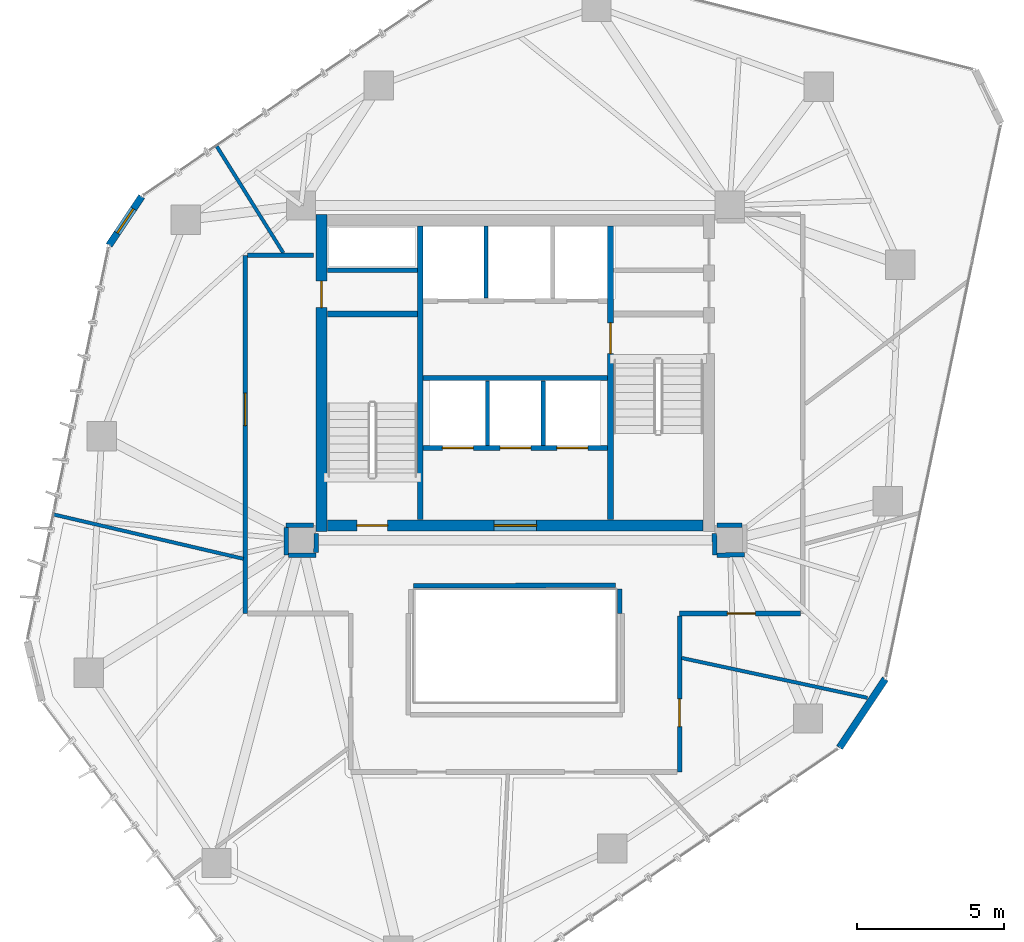
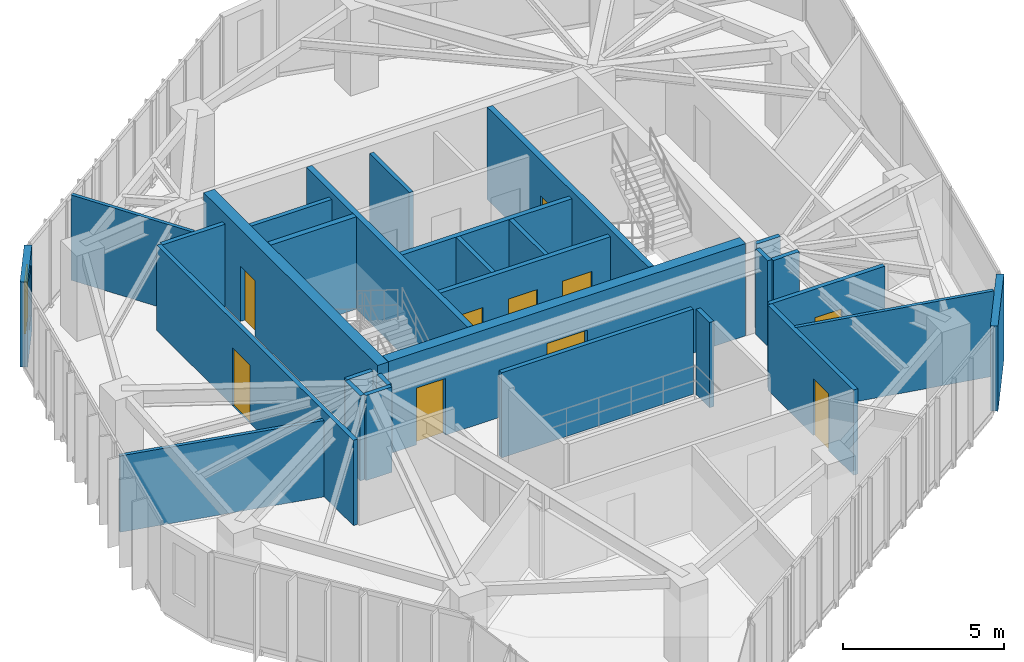
# One storey, part 16 of 20: 29 walls, 10 doors, 1 window, 11 openings.
"""IFC4 building model written with IfcOpenShell, lengths in metres."""

from ifc_helpers import new_model, si_unit, direction, frame, frame_2d, origin, place, context, subcontext, project, spatial, rectangle, extrude, source, transform, mapped, material, layer, layer_set, type_object, type_shapes, element, fill, save


model = new_model("IFC4")

# Units and contexts
model_context = context("Model", 3, precision=1e-05, world=origin(), true_north=direction((0.0, 1.0)))
body_context = subcontext(model_context, "Body", "Model", "MODEL_VIEW")
ifc_project = project(units=[si_unit("LENGTHUNIT", "METRE"), si_unit("AREAUNIT", "SQUARE_METRE"), si_unit("VOLUMEUNIT", "CUBIC_METRE"), si_unit("PLANEANGLEUNIT", "RADIAN"), si_unit("MASSUNIT", "GRAM", prefix="KILO")], contexts=[model_context])

# Site, building, storey
site_placement = place(None, origin())
site = spatial("IfcSite", under=ifc_project, at=site_placement, CompositionType="ELEMENT")
building_placement = place(site_placement, origin())
building = spatial("IfcBuilding", under=site, at=building_placement, Name="Talar Marvaseh", CompositionType="ELEMENT")
storey_placement = place(building_placement, frame((0.0, 0.0, 191.5)))
storey = spatial("IfcBuildingStorey", under=building, at=storey_placement, Name="L50", CompositionType="ELEMENT", Elevation=191.5)

# Wall, opening, window
ifc_material_1 = material(Name="Precast concrete C45/55", Category="concrete")
ifc_layer_1 = layer(ifc_material_1, 0.239990234375)
ifc_layer_set_1 = layer_set([ifc_layer_1], Name="Precast concrete C45/55")
wall_type_1 = type_object("IfcWallType", Name="Chamfered Hexagonal Corner Pier Wall Z3 240", PredefinedType="SOLIDWALL", material=ifc_layer_set_1)
wall_1_placement = place(storey_placement, frame((12.16064453125, 35.54248046875, 0.0), z_axis=(0.0, 0.0, 1.0), x_axis=(0.555627975878, 0.831431026857, 0.0)))
wall_1 = element("IfcWall", 1, at=wall_1_placement, inside=storey, type_object=wall_type_1, Name="L50 Chamfered Corner Limestone Pier 3", PredefinedType="SOLIDWALL", context=body_context, shape_type="SweptSolid", body=[
    extrude(rectangle(XDim=2.003173828125, YDim=0.239990234375, at=frame_2d((1.00146484375, 0.0))), origin(), (0.0, 0.0, 1.0), 3.22998046875),
])
opening_1_placement = place(wall_1_placement, frame((0.501953125, 0.0, 0.89990234375)))
opening_1 = element("IfcOpeningElement", 2, at=opening_1_placement, cuts=wall_1, Name="Opening WN-CHM10", PredefinedType="OPENING", context=body_context, shape_type="SweptSolid", body=[
    extrude(rectangle(XDim=1.0, YDim=1.949951171875, at=frame_2d((0.5, 0.97509765625))), frame((0.0, 0.1298828125, 0.0), z_axis=(0.0, -1.0, 0.0), x_axis=(1.0, 0.0, 0.0)), (0.0, 0.0, 1.0), 0.260009765625),
])
ifc_material_2 = material(Name="Laminated Low-E Solar Glass", Category="glass")
window_type = type_object("IfcWindowType", Name="Zone 3 Chamfered Corner Slot Window 1000x1950", PartitioningType="SINGLE_PANEL", PredefinedType="WINDOW", material=ifc_material_2)
shared_shape_1 = source(origin(), body_context, "Body", "SweptSolid", [
    extrude(rectangle(XDim=1.0, YDim=1.949951171875, at=frame_2d((0.5, 0.97509765625))), frame((0.0, 0.030029296875, 0.0), z_axis=(0.0, -1.0, 0.0), x_axis=(1.0, 0.0, 0.0)), (0.0, 0.0, 1.0), 0.06005859375),
])
type_shapes(window_type, [shared_shape_1])
window_placement = place(opening_1_placement, origin())
window = element("IfcWindow", 3, at=window_placement, inside=storey, type_object=window_type, Name="L50 Chamfered Corner Slot Window", OverallHeight=1.949951171875, OverallWidth=1.0, PartitioningType="SINGLE_PANEL", PredefinedType="WINDOW", context=body_context, shape_type="MappedRepresentation", body=[
    mapped(shared_shape_1, transform((0.0, 0.0, 0.0), x_axis=(1.0, 0.0, 0.0), y_axis=(0.0, 1.0, 0.0), z_axis=(0.0, 0.0, 1.0), scale=1.0)),
])
fill(opening_1, window)

# Walls
wall_2_placement = place(storey_placement, frame((38.60595703125, 20.77001953125, 0.0), z_axis=(0.0, 0.0, 1.0), x_axis=(-0.555600401463, -0.831449453602, 0.0)))
element("IfcWall", 4, at=wall_2_placement, inside=storey, type_object=wall_type_1, Name="L50 Chamfered Corner Limestone Pier 6", PredefinedType="SOLIDWALL", context=body_context, shape_type="SweptSolid", body=[
    extrude(rectangle(XDim=2.8154296875, YDim=0.239990234375, at=frame_2d((1.40771484375, 0.0))), origin(), (0.0, 0.0, 1.0), 3.22998046875),
])
ifc_material_3 = material(Name="Gypsum Board Partition Assembly")
ifc_layer_2 = layer(ifc_material_3, 0.155029296875)
ifc_layer_set_2 = layer_set([ifc_layer_2], Name="Gypsum Board Partition Assembly")
wall_type_2 = type_object("IfcWallType", Name="Corridor Fire-Rated Acoustic Partition 155", PredefinedType="PARTITIONING", material=ifc_layer_set_2)
wall_3_placement = place(storey_placement, frame((19.60009765625, 34.699951171875, 0.0), z_axis=(0.0, 0.0, 1.0), x_axis=(1.0, 0.0, 0.0)))
element("IfcWall", 5, at=wall_3_placement, inside=storey, type_object=wall_type_2, Name="L50 Core BOH Partition", PredefinedType="PARTITIONING", context=body_context, shape_type="SweptSolid", body=[
    extrude(rectangle(XDim=3.059814453125, YDim=0.155029296875, at=frame_2d((1.52978515625, 0.0))), origin(), (0.0, 0.0, 1.0), 3.22998046875),
])

# Wall, opening, door
wall_4_placement = place(storey_placement, frame((16.800048828125, 23.0, 0.0), z_axis=(0.0, 0.0, 1.0), x_axis=(0.0, 1.0, 0.0)))
wall_4 = element("IfcWall", 6, at=wall_4_placement, inside=storey, type_object=wall_type_2, Name="L50 Interior Partition Wall", PredefinedType="PARTITIONING", context=body_context, shape_type="SweptSolid", body=[
    extrude(rectangle(XDim=12.199951171875, YDim=0.155029296875, at=frame_2d((6.10009765625, 0.0))), origin(), (0.0, 0.0, 1.0), 3.22998046875),
])
opening_2_placement = place(wall_4_placement, frame((6.404296875, 0.0, 0.0)))
opening_2 = element("IfcOpeningElement", 7, at=opening_2_placement, cuts=wall_4, Name="Opening DR-RM110", PredefinedType="OPENING", context=body_context, shape_type="SweptSolid", body=[
    extrude(rectangle(XDim=1.10009765625, YDim=2.199951171875, at=frame_2d((0.550048828125, 1.10009765625))), frame((0.0, 0.08740234375, 0.0), z_axis=(0.0, -1.0, 0.0), x_axis=(1.0, 0.0, 0.0)), (0.0, 0.0, 1.0), 0.175048828125),
])
ifc_material_4 = material(Name="Acoustic Engineered Oak Timber", Category="wood")
door_type_1 = type_object("IfcDoorType", Name="Assembly and Reading Hall Door 1100x2200", OperationType="NOTDEFINED", PredefinedType="DOOR", material=ifc_material_4)
shared_shape_2 = source(origin(), body_context, "Body", "SweptSolid", [
    extrude(rectangle(XDim=1.10009765625, YDim=2.199951171875, at=frame_2d((0.550048828125, 1.10009765625))), frame((0.0, 0.02490234375, 0.0), z_axis=(0.0, -1.0, 0.0), x_axis=(1.0, 0.0, 0.0)), (0.0, 0.0, 1.0), 0.050048828125),
])
type_shapes(door_type_1, [shared_shape_2])
door_1_placement = place(opening_2_placement, origin())
door_1 = element("IfcDoor", 8, at=door_1_placement, inside=storey, type_object=door_type_1, Name="L50 Gallery Security Control Room Door", OperationType="SINGLE_SWING_RIGHT", OverallHeight=2.199951171875, OverallWidth=1.10009765625, PredefinedType="DOOR", context=body_context, shape_type="MappedRepresentation", body=[
    mapped(shared_shape_2, transform((0.0, 0.0, 0.0), x_axis=(1.0, 0.0, 0.0), y_axis=(0.0, 1.0, 0.0), z_axis=(0.0, 0.0, 1.0), scale=1.0)),
])
fill(opening_2, door_1)

wall_5_placement = place(storey_placement, frame((35.716552734375, 23.0, 0.0), z_axis=(0.0, 0.0, 1.0), x_axis=(-1.0, 0.0, 0.0)))
wall_5 = element("IfcWall", 9, at=wall_5_placement, inside=storey, type_object=wall_type_2, Name="L50 Interior Partition Wall", PredefinedType="PARTITIONING", context=body_context, shape_type="SweptSolid", body=[
    extrude(rectangle(XDim=4.116455078125, YDim=0.155029296875, at=frame_2d((2.05810546875, 0.0))), origin(), (0.0, 0.0, 1.0), 3.22998046875),
])
opening_3_placement = place(wall_5_placement, frame((1.54150390625, 0.0, 0.0)))
opening_3 = element("IfcOpeningElement", 10, at=opening_3_placement, cuts=wall_5, Name="Opening DR-WC095", PredefinedType="OPENING", context=body_context, shape_type="SweptSolid", body=[
    extrude(rectangle(XDim=0.949951171875, YDim=2.14990234375, at=frame_2d((0.47509765625, 1.074951171875))), frame((0.0, 0.08740234375, 0.0), z_axis=(0.0, -1.0, 0.0), x_axis=(1.0, 0.0, 0.0)), (0.0, 0.0, 1.0), 0.175048828125),
])
door_type_2 = type_object("IfcDoorType", Name="Washroom and Service Room Door 950x2150", OperationType="NOTDEFINED", PredefinedType="DOOR", material=ifc_material_4)
shared_shape_3 = source(origin(), body_context, "Body", "SweptSolid", [
    extrude(rectangle(XDim=0.949951171875, YDim=2.14990234375, at=frame_2d((0.47509765625, 1.074951171875))), frame((0.0, 0.02490234375, 0.0), z_axis=(0.0, -1.0, 0.0), x_axis=(1.0, 0.0, 0.0)), (0.0, 0.0, 1.0), 0.050048828125),
])
type_shapes(door_type_2, [shared_shape_3])
door_2_placement = place(opening_3_placement, origin())
door_2 = element("IfcDoor", 11, at=door_2_placement, inside=storey, type_object=door_type_2, Name="L50 Accessible WC Door", OperationType="SINGLE_SWING_LEFT", OverallHeight=2.14990234375, OverallWidth=0.949951171875, PredefinedType="DOOR", context=body_context, shape_type="MappedRepresentation", body=[
    mapped(shared_shape_3, transform((0.0, 0.0, 0.0), x_axis=(1.0, 0.0, 0.0), y_axis=(0.0, 1.0, 0.0), z_axis=(0.0, 0.0, 1.0), scale=1.0)),
])
fill(opening_3, door_2)

wall_6_placement = place(storey_placement, frame((31.60009765625, 22.91650390625, 0.0), z_axis=(0.0, 0.0, 1.0), x_axis=(0.0, -1.0, 0.0)))
wall_6 = element("IfcWall", 12, at=wall_6_placement, inside=storey, type_object=wall_type_2, Name="L50 Interior Partition Wall", PredefinedType="PARTITIONING", context=body_context, shape_type="SweptSolid", body=[
    extrude(rectangle(XDim=5.31640625, YDim=0.155029296875, at=frame_2d((2.658203125, 0.0))), origin(), (0.0, 0.0, 1.0), 3.22998046875),
])
opening_4_placement = place(wall_6_placement, frame((2.822509765625, 0.0, 0.0)))
opening_4 = element("IfcOpeningElement", 13, at=opening_4_placement, cuts=wall_6, Name="Opening DR-WC095", PredefinedType="OPENING", context=body_context, shape_type="SweptSolid", body=[
    extrude(rectangle(XDim=0.949951171875, YDim=2.14990234375, at=frame_2d((0.47509765625, 1.074951171875))), frame((0.0, 0.08740234375, 0.0), z_axis=(0.0, -1.0, 0.0), x_axis=(1.0, 0.0, 0.0)), (0.0, 0.0, 1.0), 0.175048828125),
])
door_3_placement = place(opening_4_placement, origin())
door_3 = element("IfcDoor", 14, at=door_3_placement, inside=storey, type_object=door_type_2, Name="L50 WC Public Washrooms Door", OperationType="SINGLE_SWING_RIGHT", OverallHeight=2.14990234375, OverallWidth=0.949951171875, PredefinedType="DOOR", context=body_context, shape_type="MappedRepresentation", body=[
    mapped(shared_shape_3, transform((0.0, 0.0, 0.0), x_axis=(1.0, 0.0, 0.0), y_axis=(0.0, 1.0, 0.0), z_axis=(0.0, 0.0, 1.0), scale=1.0)),
])
fill(opening_4, door_3)

# Walls
wall_7_placement = place(storey_placement, frame((16.883544921875, 35.199951171875, 0.0), z_axis=(0.0, 0.0, 1.0), x_axis=(1.0, 0.0, 0.0)))
element("IfcWall", 15, at=wall_7_placement, inside=storey, type_object=wall_type_2, Name="L50 Interior Partition Wall", PredefinedType="PARTITIONING", context=body_context, shape_type="SweptSolid", body=[
    extrude(rectangle(XDim=2.246337890625, YDim=0.155029296875, at=frame_2d((1.123046875, 0.0))), origin(), (0.0, 0.0, 1.0), 3.22998046875),
])
wall_8_placement = place(storey_placement, frame((19.1298828125, 26.0146484375, 0.0), z_axis=(0.0, 0.0, 1.0), x_axis=(-0.99999026157, -0.004413248818, 0.0)))
element("IfcWall", 16, at=wall_8_placement, inside=storey, type_object=wall_type_2, Name="L50 Interior Partition Wall", PredefinedType="PARTITIONING", context=body_context, shape_type="SweptSolid", body=[
    extrude(rectangle(XDim=0.9404296875, YDim=0.155029296875, at=frame_2d((0.47021484375, 0.0))), origin(), (0.0, 0.0, 1.0), 3.22998046875),
])
wall_9_placement = place(storey_placement, frame((18.189697265625, 25.927001953125, 0.0), z_axis=(0.0, 0.0, 1.0), x_axis=(0.002078997586, -0.999997838882, 0.0)))
element("IfcWall", 17, at=wall_9_placement, inside=storey, type_object=wall_type_2, Name="L50 Interior Partition Wall", PredefinedType="PARTITIONING", context=body_context, shape_type="SweptSolid", body=[
    extrude(rectangle(XDim=0.939453125, YDim=0.155029296875, at=frame_2d((0.4697265625, 0.0))), origin(), (0.0, 0.0, 1.0), 3.22998046875),
])
wall_10_placement = place(storey_placement, frame((18.275146484375, 24.987548828125, 0.0), z_axis=(0.0, 0.0, 1.0), x_axis=(0.999999692748, 0.0007839036, 0.0)))
element("IfcWall", 18, at=wall_10_placement, inside=storey, type_object=wall_type_2, Name="L50 Interior Partition Wall", PredefinedType="PARTITIONING", context=body_context, shape_type="SweptSolid", body=[
    extrude(rectangle(XDim=0.934326171875, YDim=0.155029296875, at=frame_2d((0.46728515625, 0.0))), origin(), (0.0, 0.0, 1.0), 3.22998046875),
])
wall_11_placement = place(storey_placement, frame((19.210205078125, 25.072021484375, 0.0), z_axis=(0.0, 0.0, 1.0), x_axis=(0.007420945932, 0.999972464402, 0.0)))
element("IfcWall", 19, at=wall_11_placement, inside=storey, type_object=wall_type_2, Name="L50 Interior Partition Wall", PredefinedType="PARTITIONING", context=body_context, shape_type="SweptSolid", body=[
    extrude(rectangle(XDim=0.657958984375, YDim=0.155029296875, at=frame_2d((0.3291015625, 0.0))), origin(), (0.0, 0.0, 1.0), 3.22998046875),
])
wall_12_placement = place(storey_placement, frame((32.784912109375, 25.72998046875, 0.0), z_axis=(0.0, 0.0, 1.0), x_axis=(0.007570553288, -0.999971342951, 0.0)))
element("IfcWall", 20, at=wall_12_placement, inside=storey, type_object=wall_type_2, Name="L50 Interior Partition Wall", PredefinedType="PARTITIONING", context=body_context, shape_type="SweptSolid", body=[
    extrude(rectangle(XDim=0.74169921875, YDim=0.155029296875, at=frame_2d((0.370849609375, 0.0))), origin(), (0.0, 0.0, 1.0), 3.22998046875),
])
wall_13_placement = place(storey_placement, frame((32.8740234375, 24.9892578125, 0.0), z_axis=(0.0, 0.0, 1.0), x_axis=(0.999934835738, 0.01141596595, 0.0)))
element("IfcWall", 21, at=wall_13_placement, inside=storey, type_object=wall_type_2, Name="L50 Interior Partition Wall", PredefinedType="PARTITIONING", context=body_context, shape_type="SweptSolid", body=[
    extrude(rectangle(XDim=0.94091796875, YDim=0.155029296875, at=frame_2d((0.470458984375, 0.0))), origin(), (0.0, 0.0, 1.0), 3.22998046875),
])
wall_14_placement = place(storey_placement, frame((33.72705078125, 26.010986328125, 0.0), z_axis=(0.0, 0.0, 1.0), x_axis=(-0.999990868706, 0.004273465251, 0.0)))
element("IfcWall", 22, at=wall_14_placement, inside=storey, type_object=wall_type_2, Name="L50 Interior Partition Wall", PredefinedType="PARTITIONING", context=body_context, shape_type="SweptSolid", body=[
    extrude(rectangle(XDim=0.85693359375, YDim=0.155029296875, at=frame_2d((0.428466796875, 0.0))), origin(), (0.0, 0.0, 1.0), 3.22998046875),
])
wall_15_placement = place(storey_placement, frame((29.415771484375, 23.959228515625, 0.0), z_axis=(0.0, 0.0, 1.0), x_axis=(-0.999998607957, -0.001668557745, 0.0)))
element("IfcWall", 23, at=wall_15_placement, inside=storey, type_object=wall_type_2, Name="L50 Interior Partition Wall", PredefinedType="PARTITIONING", context=body_context, shape_type="SweptSolid", body=[
    extrude(rectangle(XDim=6.876953125, YDim=0.155029296875, at=frame_2d((3.4384765625, 0.0))), origin(), (0.0, 0.0, 1.0), 3.22998046875),
])
wall_16_placement = place(storey_placement, frame((29.56005859375, 23.0, 0.0), z_axis=(0.0, 0.0, 1.0), x_axis=(-0.003817887006, 0.999992711843, 0.0)))
element("IfcWall", 24, at=wall_16_placement, inside=storey, type_object=wall_type_2, Name="L50 Interior Partition Wall", PredefinedType="PARTITIONING", context=body_context, shape_type="SweptSolid", body=[
    extrude(rectangle(XDim=0.831298828125, YDim=0.155029296875, at=frame_2d((0.41552734375, 0.0))), origin(), (0.0, 0.0, 1.0), 3.22998046875),
])
ifc_layer_3 = layer(ifc_material_3, 0.1201171875)
ifc_layer_set_3 = layer_set([ifc_layer_3], Name="Gypsum Board Partition Assembly")
wall_type_3 = type_object("IfcWallType", Name="Demountable Studio Room Partition 120", PredefinedType="PARTITIONING", material=ifc_layer_set_3)
wall_17_placement = place(storey_placement, frame((10.285400390625, 26.370849609375, 0.0), z_axis=(0.0, 0.0, 1.0), x_axis=(0.973815379836, -0.227340286782, 0.0)))
element("IfcWall", 25, at=wall_17_placement, inside=storey, type_object=wall_type_3, Name="L50 Interior Partition Wall", PredefinedType="PARTITIONING", context=body_context, shape_type="SweptSolid", body=[
    extrude(rectangle(XDim=6.625, YDim=0.1201171875, at=frame_2d((3.3125, 0.0))), origin(), (0.0, 0.0, 1.0), 2.89208984375),
])
wall_18_placement = place(storey_placement, frame((31.66357421875, 21.486328125, 0.0), z_axis=(0.0, 0.0, 1.0), x_axis=(0.977757692819, -0.209737679334, 0.0)))
element("IfcWall", 26, at=wall_18_placement, inside=storey, type_object=wall_type_3, Name="L50 Interior Partition Wall", PredefinedType="PARTITIONING", context=body_context, shape_type="SweptSolid", body=[
    extrude(rectangle(XDim=6.474365234375, YDim=0.1201171875, at=frame_2d((3.2373046875, 0.0))), origin(), (0.0, 0.0, 1.0), 3.22998046875),
])
wall_19_placement = place(storey_placement, frame((18.097900390625, 35.283447265625, 0.0), z_axis=(0.0, 0.0, 1.0), x_axis=(-0.529804317091, 0.848119912272, 0.0)))
element("IfcWall", 27, at=wall_19_placement, inside=storey, type_object=wall_type_3, Name="L50 Interior Partition Wall", PredefinedType="PARTITIONING", context=body_context, shape_type="SweptSolid", body=[
    extrude(rectangle(XDim=4.28515625, YDim=0.1201171875, at=frame_2d((2.142578125, 0.0))), origin(), (0.0, 0.0, 1.0), 3.22998046875),
])
ifc_layer_4 = layer(ifc_material_1, 0.14501953125)
ifc_layer_set_4 = layer_set([ifc_layer_4], Name="Precast concrete C45/55")
wall_type_4 = type_object("IfcWallType", Name="Fire-Rated Lift Divider Wall 145", PredefinedType="SOLIDWALL", material=ifc_layer_set_4)
wall_20_placement = place(storey_placement, frame((25.0, 33.743408203125, 0.0), z_axis=(0.0, 0.0, 1.0), x_axis=(0.0, 1.0, 0.0)))
element("IfcWall", 28, at=wall_20_placement, inside=storey, type_object=wall_type_4, Name="L50 FFL-1/FFL-2 Divider", PredefinedType="SOLIDWALL", context=body_context, shape_type="SweptSolid", body=[
    extrude(rectangle(XDim=2.45654296875, YDim=0.14501953125, at=frame_2d((1.228271484375, 0.0))), origin(), (0.0, 0.0, 1.0), 3.22998046875),
])
for number, where, z_axis, x_axis, name in (
    (29, (25.050048828125, 28.719970703125, 0.0), (0.0, 0.0, 1.0), (0.0, 1.0, 0.0), "L50 PL-H1/PL-H2 Divider"),
    (30, (26.949951171875, 28.719970703125, 0.0), (0.0, 0.0, 1.0), (0.0, 1.0, 0.0), "L50 PL-H2/PL-H3 Divider"),
):
    element("IfcWall", number, at=place(storey_placement, frame(where, z_axis=z_axis, x_axis=x_axis)), inside=storey, type_object=wall_type_4, Name=name, PredefinedType="SOLIDWALL", context=body_context, shape_type="SweptSolid", body=[
        extrude(rectangle(XDim=2.20654296875, YDim=0.14501953125, at=frame_2d((1.103271484375, 0.0))), origin(), (0.0, 0.0, 1.0), 3.22998046875),
    ])
ifc_layer_5 = layer(ifc_material_1, 0.175048828125)
ifc_layer_set_5 = layer_set([ifc_layer_5], Name="Precast concrete C45/55")
wall_type_5 = type_object("IfcWallType", Name="Fire-Rated Lift Hoistway Enclosure Wall 175", PredefinedType="SOLIDWALL", material=ifc_layer_set_5)
wall_21_placement = place(storey_placement, frame((22.860107421875, 31.02001953125, 0.0), z_axis=(0.0, 0.0, 1.0), x_axis=(1.0, 0.0, 0.0)))
element("IfcWall", 31, at=wall_21_placement, inside=storey, type_object=wall_type_5, Name="L50 Firefighting Lobby South Smoke Wall", PredefinedType="SOLIDWALL", context=body_context, shape_type="SweptSolid", body=[
    extrude(rectangle(XDim=6.27978515625, YDim=0.175048828125, at=frame_2d((3.139892578125, 0.0))), origin(), (0.0, 0.0, 1.0), 3.22998046875),
])

# Wall, openings, doors
wall_22_placement = place(storey_placement, frame((22.860107421875, 28.639892578125, 0.0), z_axis=(0.0, 0.0, 1.0), x_axis=(1.0, 0.0, 0.0)))
wall_22 = element("IfcWall", 32, at=wall_22_placement, inside=storey, type_object=wall_type_5, Name="L50 High-Rise Lift Bank Front Wall", PredefinedType="SOLIDWALL", context=body_context, shape_type="SweptSolid", body=[
    extrude(rectangle(XDim=6.27978515625, YDim=0.175048828125, at=frame_2d((3.139892578125, 0.0))), origin(), (0.0, 0.0, 1.0), 3.22998046875),
])
opening_5_placement = place(wall_22_placement, frame((0.659912109375, 0.0, 0.0)))
opening_5 = element("IfcOpeningElement", 33, at=opening_5_placement, cuts=wall_22, Name="Opening LD-PLH1", PredefinedType="OPENING", context=body_context, shape_type="SweptSolid", body=[
    extrude(rectangle(XDim=1.050048828125, YDim=2.14990234375, at=frame_2d((0.52490234375, 1.074951171875))), frame((0.0, 0.09765625, 0.0), z_axis=(0.0, -1.0, 0.0), x_axis=(1.0, 0.0, 0.0)), (0.0, 0.0, 1.0), 0.195068359375),
])
opening_6_placement = place(wall_22_placement, frame((2.6201171875, 0.0, 0.0)))
opening_6 = element("IfcOpeningElement", 34, at=opening_6_placement, cuts=wall_22, Name="Opening LD-PLH2", PredefinedType="OPENING", context=body_context, shape_type="SweptSolid", body=[
    extrude(rectangle(XDim=1.050048828125, YDim=2.14990234375, at=frame_2d((0.52490234375, 1.074951171875))), frame((0.0, 0.09765625, 0.0), z_axis=(0.0, -1.0, 0.0), x_axis=(1.0, 0.0, 0.0)), (0.0, 0.0, 1.0), 0.195068359375),
])
opening_7_placement = place(wall_22_placement, frame((4.56005859375, 0.0, 0.0)))
opening_7 = element("IfcOpeningElement", 35, at=opening_7_placement, cuts=wall_22, Name="Opening LD-PLH3", PredefinedType="OPENING", context=body_context, shape_type="SweptSolid", body=[
    extrude(rectangle(XDim=1.050048828125, YDim=2.14990234375, at=frame_2d((0.52490234375, 1.074951171875))), frame((0.0, 0.09765625, 0.0), z_axis=(0.0, -1.0, 0.0), x_axis=(1.0, 0.0, 0.0)), (0.0, 0.0, 1.0), 0.195068359375),
])
ifc_material_5 = material(Name="Stainless Steel Grade 316", Category="steel")
door_type_3 = type_object("IfcDoorType", Name="Automatic Sliding Lift Landing Door 1050x2150", OperationType="NOTDEFINED", PredefinedType="DOOR", material=ifc_material_5)
shared_shape_4 = source(origin(), body_context, "Body", "SweptSolid", [
    extrude(rectangle(XDim=1.050048828125, YDim=2.14990234375, at=frame_2d((0.52490234375, 1.074951171875))), frame((0.0, 0.02490234375, 0.0), z_axis=(0.0, -1.0, 0.0), x_axis=(1.0, 0.0, 0.0)), (0.0, 0.0, 1.0), 0.050048828125),
])
type_shapes(door_type_3, [shared_shape_4])
door_4_placement = place(opening_5_placement, origin())
door_4 = element("IfcDoor", 36, at=door_4_placement, inside=storey, type_object=door_type_3, Name="L50 Lift PL-H1 Sliding Landing Door", OperationType="SLIDING_TO_LEFT", OverallHeight=2.14990234375, OverallWidth=1.050048828125, PredefinedType="DOOR", context=body_context, shape_type="MappedRepresentation", body=[
    mapped(shared_shape_4, transform((0.0, 0.0, 0.0), x_axis=(1.0, 0.0, 0.0), y_axis=(0.0, 1.0, 0.0), z_axis=(0.0, 0.0, 1.0), scale=1.0)),
])
fill(opening_5, door_4)
door_5_placement = place(opening_6_placement, origin())
door_5 = element("IfcDoor", 37, at=door_5_placement, inside=storey, type_object=door_type_3, Name="L50 Lift PL-H2 Sliding Landing Door", OperationType="SLIDING_TO_LEFT", OverallHeight=2.14990234375, OverallWidth=1.050048828125, PredefinedType="DOOR", context=body_context, shape_type="MappedRepresentation", body=[
    mapped(shared_shape_4, transform((0.0, 0.0, 0.0), x_axis=(1.0, 0.0, 0.0), y_axis=(0.0, 1.0, 0.0), z_axis=(0.0, 0.0, 1.0), scale=1.0)),
])
fill(opening_6, door_5)
door_6_placement = place(opening_7_placement, origin())
door_6 = element("IfcDoor", 38, at=door_6_placement, inside=storey, type_object=door_type_3, Name="L50 Lift PL-H3 Sliding Landing Door", OperationType="SLIDING_TO_LEFT", OverallHeight=2.14990234375, OverallWidth=1.050048828125, PredefinedType="DOOR", context=body_context, shape_type="MappedRepresentation", body=[
    mapped(shared_shape_4, transform((0.0, 0.0, 0.0), x_axis=(1.0, 0.0, 0.0), y_axis=(0.0, 1.0, 0.0), z_axis=(0.0, 0.0, 1.0), scale=1.0)),
])
fill(opening_7, door_6)

# Wall, opening, door
ifc_material_6 = material(Name="Concrete C60/75", Category="concrete")
ifc_layer_6 = layer(ifc_material_6, 0.3798828125)
ifc_layer_set_6 = layer_set([ifc_layer_6], Name="Concrete C60/75")
wall_type_6 = type_object("IfcWallType", Name="Mid Core Reinforced Concrete Shear Wall 380", PredefinedType="SHEAR", material=ifc_layer_set_6)
wall_23_placement = place(storey_placement, frame((19.39990234375, 25.800048828125, 0.0), z_axis=(0.0, 0.0, 1.0), x_axis=(0.0, 1.0, 0.0)))
wall_23 = element("IfcWall", 39, at=wall_23_placement, inside=storey, type_object=wall_type_6, Name="L50 West Core Shear Wall", PredefinedType="SHEAR", context=body_context, shape_type="SweptSolid", body=[
    extrude(rectangle(XDim=10.800048828125, YDim=0.3798828125, at=frame_2d((5.39990234375, 0.0))), origin(), (0.0, 0.0, 1.0), 3.5),
])
opening_8_placement = place(wall_23_placement, frame((7.6201171875, 0.0, 0.0)))
opening_8 = element("IfcOpeningElement", 40, at=opening_8_placement, cuts=wall_23, Name="Opening DR-BOH090", PredefinedType="OPENING", context=body_context, shape_type="SweptSolid", body=[
    extrude(rectangle(XDim=0.89990234375, YDim=2.10009765625, at=frame_2d((0.449951171875, 1.050048828125))), frame((0.0, 0.199951171875, 0.0), z_axis=(0.0, -1.0, 0.0), x_axis=(1.0, 0.0, 0.0)), (0.0, 0.0, 1.0), 0.39990234375),
])
ifc_material_7 = material(Name="Fire-Rated Steel Door Leaf", Category="steel")
door_type_4 = type_object("IfcDoorType", Name="Core Back-of-House Service Door 900x2100", OperationType="NOTDEFINED", PredefinedType="DOOR", material=ifc_material_7)
shared_shape_5 = source(origin(), body_context, "Body", "SweptSolid", [
    extrude(rectangle(XDim=0.89990234375, YDim=2.10009765625, at=frame_2d((0.449951171875, 1.050048828125))), frame((0.0, 0.02490234375, 0.0), z_axis=(0.0, -1.0, 0.0), x_axis=(1.0, 0.0, 0.0)), (0.0, 0.0, 1.0), 0.050048828125),
])
type_shapes(door_type_4, [shared_shape_5])
door_7_placement = place(opening_8_placement, origin())
door_7 = element("IfcDoor", 41, at=door_7_placement, inside=storey, type_object=door_type_4, Name="L50 Cleaner Core West Closet Door", OperationType="SINGLE_SWING_LEFT", OverallHeight=2.10009765625, OverallWidth=0.89990234375, PredefinedType="DOOR", context=body_context, shape_type="MappedRepresentation", body=[
    mapped(shared_shape_5, transform((0.0, 0.0, 0.0), x_axis=(1.0, 0.0, 0.0), y_axis=(0.0, 1.0, 0.0), z_axis=(0.0, 0.0, 1.0), scale=1.0)),
])
fill(opening_8, door_7)

# Wall, openings, doors
wall_24_placement = place(storey_placement, frame((32.39990234375, 26.0, 0.0), z_axis=(0.0, 0.0, 1.0), x_axis=(-1.0, 0.0, 0.0)))
wall_24 = element("IfcWall", 42, at=wall_24_placement, inside=storey, type_object=wall_type_6, Name="L50 South Core Shear Wall", PredefinedType="SHEAR", context=body_context, shape_type="SweptSolid", body=[
    extrude(rectangle(XDim=12.7998046875, YDim=0.3798828125, at=frame_2d((6.39990234375, 0.0))), origin(), (0.0, 0.0, 1.0), 3.5),
])
opening_9_placement = place(wall_24_placement, frame((10.75, 0.0, 0.0)))
opening_9 = element("IfcOpeningElement", 43, at=opening_9_placement, cuts=wall_24, Name="Opening DR-ST105", PredefinedType="OPENING", context=body_context, shape_type="SweptSolid", body=[
    extrude(rectangle(XDim=1.050048828125, YDim=2.14990234375, at=frame_2d((0.52490234375, 1.074951171875))), frame((0.0, 0.199951171875, 0.0), z_axis=(0.0, -1.0, 0.0), x_axis=(1.0, 0.0, 0.0)), (0.0, 0.0, 1.0), 0.39990234375),
])
opening_10_placement = place(wall_24_placement, frame((5.669921875, 0.0, 0.0)))
opening_10 = element("IfcOpeningElement", 44, at=opening_10_placement, cuts=wall_24, Name="Opening DR-LBY145", PredefinedType="OPENING", context=body_context, shape_type="SweptSolid", body=[
    extrude(rectangle(XDim=1.449951171875, YDim=2.199951171875, at=frame_2d((0.72509765625, 1.10009765625))), frame((0.0, 0.199951171875, 0.0), z_axis=(0.0, -1.0, 0.0), x_axis=(1.0, 0.0, 0.0)), (0.0, 0.0, 1.0), 0.39990234375),
])
door_type_5 = type_object("IfcDoorType", Name="Protected Exit Stair Fire Door 1050x2150", OperationType="NOTDEFINED", PredefinedType="DOOR", material=ifc_material_7)
shared_shape_6 = source(origin(), body_context, "Body", "SweptSolid", [
    extrude(rectangle(XDim=1.050048828125, YDim=2.14990234375, at=frame_2d((0.52490234375, 1.074951171875))), frame((0.0, 0.02490234375, 0.0), z_axis=(0.0, -1.0, 0.0), x_axis=(1.0, 0.0, 0.0)), (0.0, 0.0, 1.0), 0.050048828125),
])
type_shapes(door_type_5, [shared_shape_6])
door_8_placement = place(opening_9_placement, origin())
door_8 = element("IfcDoor", 45, at=door_8_placement, inside=storey, type_object=door_type_5, Name="L50 Stair ST-1 Exit Door", OperationType="SINGLE_SWING_RIGHT", OverallHeight=2.14990234375, OverallWidth=1.050048828125, PredefinedType="DOOR", context=body_context, shape_type="MappedRepresentation", body=[
    mapped(shared_shape_6, transform((0.0, 0.0, 0.0), x_axis=(1.0, 0.0, 0.0), y_axis=(0.0, 1.0, 0.0), z_axis=(0.0, 0.0, 1.0), scale=1.0)),
])
fill(opening_9, door_8)
door_type_6 = type_object("IfcDoorType", Name="Core Lift Lobby Double Smoke Door 1450x2200", OperationType="NOTDEFINED", PredefinedType="DOOR", material=ifc_material_7)
shared_shape_7 = source(origin(), body_context, "Body", "SweptSolid", [
    extrude(rectangle(XDim=1.449951171875, YDim=2.199951171875, at=frame_2d((0.72509765625, 1.10009765625))), frame((0.0, 0.02490234375, 0.0), z_axis=(0.0, -1.0, 0.0), x_axis=(1.0, 0.0, 0.0)), (0.0, 0.0, 1.0), 0.050048828125),
])
type_shapes(door_type_6, [shared_shape_7])
door_9_placement = place(opening_10_placement, origin())
door_9 = element("IfcDoor", 46, at=door_9_placement, inside=storey, type_object=door_type_6, Name="L50 Passenger Lift Lobby Entrance Door", OperationType="DOUBLE_DOOR_SINGLE_SWING", OverallHeight=2.199951171875, OverallWidth=1.449951171875, PredefinedType="DOOR", context=body_context, shape_type="MappedRepresentation", body=[
    mapped(shared_shape_7, transform((0.0, 0.0, 0.0), x_axis=(1.0, 0.0, 0.0), y_axis=(0.0, 1.0, 0.0), z_axis=(0.0, 0.0, 1.0), scale=1.0)),
])
fill(opening_10, door_9)

# Wall
ifc_material_8 = material(Name="Concrete C50/60", Category="concrete")
ifc_layer_7 = layer(ifc_material_8, 0.199951171875)
ifc_layer_set_7 = layer_set([ifc_layer_7], Name="Concrete C50/60")
wall_type_7 = type_object("IfcWallType", Name="Stair Shaft Structural Concrete Shear Wall 200", PredefinedType="SHEAR", material=ifc_layer_set_7)
wall_25_placement = place(storey_placement, frame((22.760009765625, 26.199951171875, 0.0), z_axis=(0.0, 0.0, 1.0), x_axis=(0.0, 1.0, 0.0)))
element("IfcWall", 47, at=wall_25_placement, inside=storey, type_object=wall_type_7, Name="L50 Core West Stair Shear Wall", PredefinedType="SHEAR", context=body_context, shape_type="SweptSolid", body=[
    extrude(rectangle(XDim=10.0, YDim=0.199951171875, at=frame_2d((5.0, 0.0))), origin(), (0.0, 0.0, 1.0), 3.5),
])

# Wall, opening, door
wall_26_placement = place(storey_placement, frame((29.239990234375, 26.199951171875, 0.0), z_axis=(0.0, 0.0, 1.0), x_axis=(0.0, 1.0, 0.0)))
wall_26 = element("IfcWall", 48, at=wall_26_placement, inside=storey, type_object=wall_type_7, Name="L50 Core East Stair Shear Wall", PredefinedType="SHEAR", context=body_context, shape_type="SweptSolid", body=[
    extrude(rectangle(XDim=10.0, YDim=0.199951171875, at=frame_2d((5.0, 0.0))), origin(), (0.0, 0.0, 1.0), 3.5),
])
opening_11_placement = place(wall_26_placement, frame((5.64990234375, 0.0, 0.0)))
opening_11 = element("IfcOpeningElement", 49, at=opening_11_placement, cuts=wall_26, Name="Opening DR-ST105", PredefinedType="OPENING", context=body_context, shape_type="SweptSolid", body=[
    extrude(rectangle(XDim=1.050048828125, YDim=2.14990234375, at=frame_2d((0.52490234375, 1.074951171875))), frame((0.0, 0.10986328125, 0.0), z_axis=(0.0, -1.0, 0.0), x_axis=(1.0, 0.0, 0.0)), (0.0, 0.0, 1.0), 0.219970703125),
])
door_10_placement = place(opening_11_placement, origin())
door_10 = element("IfcDoor", 50, at=door_10_placement, inside=storey, type_object=door_type_5, Name="L50 Firefighting Lobby to Stair ST-2 Door", OperationType="SINGLE_SWING_LEFT", OverallHeight=2.14990234375, OverallWidth=1.050048828125, PredefinedType="DOOR", context=body_context, shape_type="MappedRepresentation", body=[
    mapped(shared_shape_6, transform((0.0, 0.0, 0.0), x_axis=(1.0, 0.0, 0.0), y_axis=(0.0, 1.0, 0.0), z_axis=(0.0, 0.0, 1.0), scale=1.0)),
])
fill(opening_11, door_10)

# Wall
wall_27_placement = place(storey_placement, frame((19.60009765625, 33.199951171875, 0.0), z_axis=(0.0, 0.0, 1.0), x_axis=(1.0, 0.0, 0.0)))
element("IfcWall", 51, at=wall_27_placement, inside=storey, type_object=wall_type_7, Name="L50 Stair ST-1 North Shear Wall", PredefinedType="SHEAR", context=body_context, shape_type="SweptSolid", body=[
    extrude(rectangle(XDim=3.059814453125, YDim=0.199951171875, at=frame_2d((1.52978515625, 0.0))), origin(), (0.0, 0.0, 1.0), 3.5),
])

save(model, "model.ifc")
